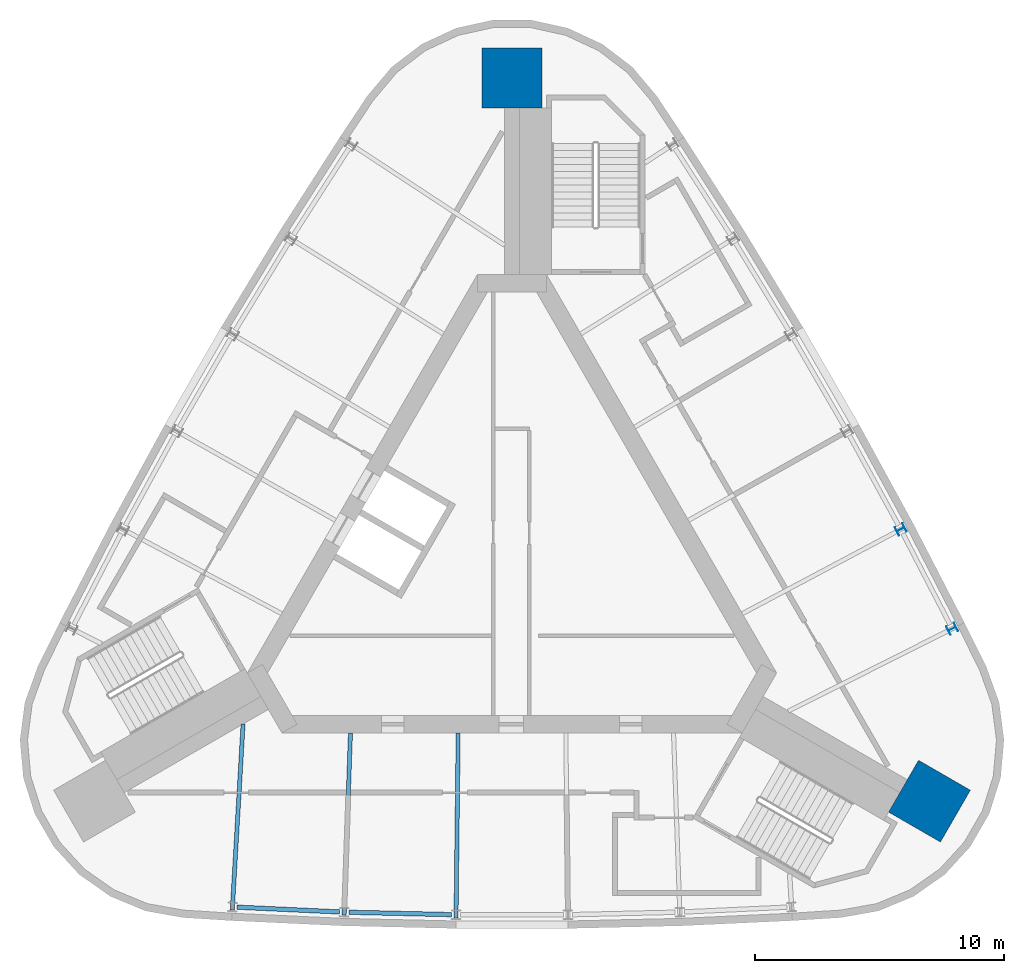
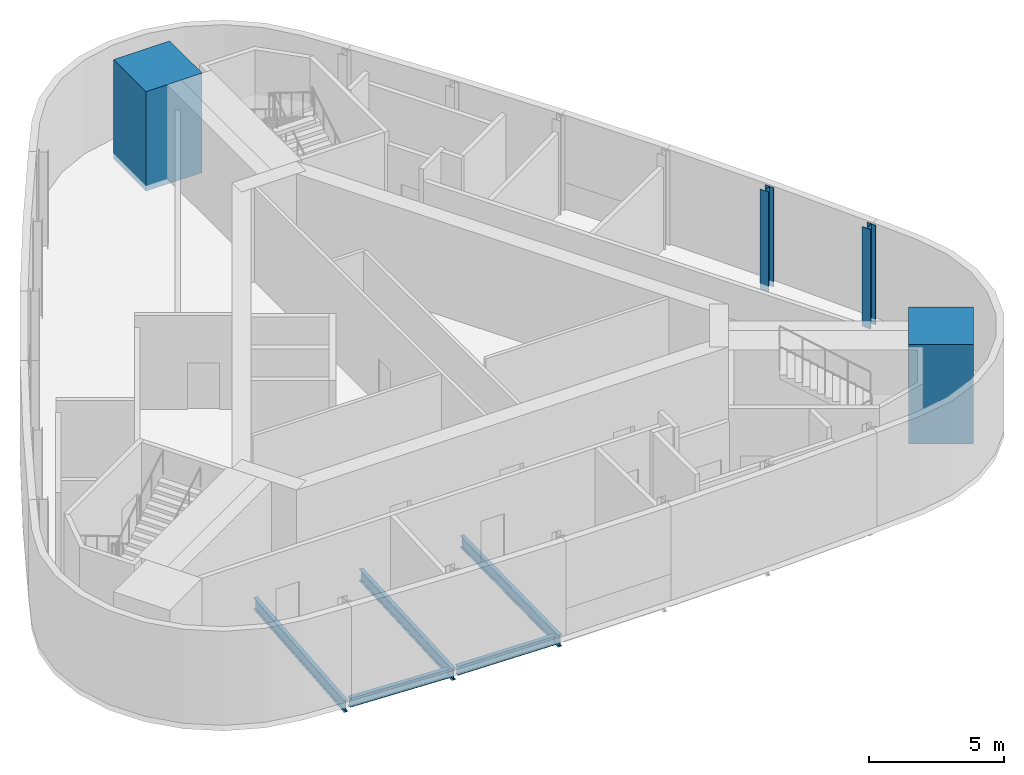
# One storey, part 2 of 7: 5 beams, 4 columns.
"""IFC4 building model written with IfcOpenShell, lengths in metres."""

from ifc_helpers import new_model, si_unit, direction, frame, origin, origin_2d, place, context, subcontext, project, spatial, rectangle, i_section, extrude, material, material_profile, profile_set, type_object, element, save


model = new_model("IFC4")

# Units and contexts
model_context = context("Model", 3, precision=1e-05, world=origin(), true_north=direction((0.0, 1.0)))
body_context = subcontext(model_context, "Body", "Model", "MODEL_VIEW")
ifc_project = project(units=[si_unit("LENGTHUNIT", "METRE"), si_unit("AREAUNIT", "SQUARE_METRE"), si_unit("VOLUMEUNIT", "CUBIC_METRE"), si_unit("PLANEANGLEUNIT", "RADIAN"), si_unit("MASSUNIT", "GRAM", prefix="KILO")], contexts=[model_context])

# Site, building, storey
site_placement = place(None, origin())
site = spatial("IfcSite", under=ifc_project, at=site_placement, CompositionType="ELEMENT")
building_placement = place(site_placement, origin())
building = spatial("IfcBuilding", under=site, at=building_placement, Name="Noor Cloister Tower", CompositionType="ELEMENT")
storey_placement = place(building_placement, frame((0.0, 0.0, 288.60009765625)))
storey = spatial("IfcBuildingStorey", under=building, at=storey_placement, Name="L73", CompositionType="ELEMENT", Elevation=288.60009765625)

# Columns
ifc_material_1 = material(Name="Steel ASTM A992 Gr 50", Category="steel")
ifc_material_profile_1 = material_profile(ifc_material_1, i_section(OverallWidth=0.367919921875, OverallDepth=0.35595703125, WebThickness=0.01123046875, FlangeThickness=0.01806640625, FilletRadius=0.015380859375, at=origin_2d()), Name="W360x134")
ifc_profile_set_1 = profile_set([ifc_material_profile_1], Name="Steel ASTM A992 Gr 50")
column_type_1 = type_object("IfcColumnType", Name="Column W360x134", PredefinedType="COLUMN", material=ifc_profile_set_1)
for number, where, z_axis, x_axis, name in (
    (1, (17.653564453125, -2.75390625, -0.25), (0.0, 0.0, 1.0), (-0.448974965035, 0.893544336209, 0.0), "Column NE 01 L73"),
    (2, (15.592529296875, 1.231689453125, -0.25), (0.0, 0.0, 1.0), (-0.469575774469, 0.882892174635, 0.0), "Column NE 02 L73"),
):
    element("IfcColumn", number, at=place(storey_placement, frame(where, z_axis=z_axis, x_axis=x_axis)), inside=storey, type_object=column_type_1, Name=name, PredefinedType="COLUMN", context=body_context, shape_type="SweptSolid", body=[
        extrude(i_section(OverallWidth=0.367919921875, OverallDepth=0.35595703125, WebThickness=0.01123046875, FlangeThickness=0.01806640625, FilletRadius=0.015380859375, at=origin_2d()), origin(), (0.0, 0.0, 1.0), 4.5),
    ])
ifc_material_2 = material(Name="Concrete C50/60", Category="concrete")
ifc_material_profile_2 = material_profile(ifc_material_2, rectangle(XDim=2.39990234375, YDim=2.39990234375, at=origin_2d()), Name="RC 2400x2400")
ifc_profile_set_2 = profile_set([ifc_material_profile_2], Name="Concrete C50/60")
column_type_2 = type_object("IfcColumnType", Name="Corner pier 2400 x 2400 C50/60", PredefinedType="COLUMN", material=ifc_profile_set_2)
for number, where, z_axis, x_axis, name in (
    (3, (0.0, 19.3349609375, -0.25), (0.0, 0.0, 1.0), (0.0, 1.0, 0.0), "Corner pier N L73"),
    (4, (16.74462890625, -9.66748046875, -0.25), (0.0, 0.0, 1.0), (0.866025403784, -0.5, 0.0), "Corner pier SE L73"),
):
    element("IfcColumn", number, at=place(storey_placement, frame(where, z_axis=z_axis, x_axis=x_axis)), inside=storey, type_object=column_type_2, Name=name, PredefinedType="COLUMN", context=body_context, shape_type="SweptSolid", body=[
        extrude(rectangle(XDim=2.39990234375, YDim=2.39990234375, at=origin_2d()), origin(), (0.0, 0.0, 1.0), 4.5),
    ])

# Beams
ifc_material_3 = material(Name="Steel ASTM A992 Gr 50", Category="steel")
ifc_material_profile_3 = material_profile(ifc_material_3, i_section(OverallWidth=0.166015625, OverallDepth=0.528076171875, WebThickness=0.009765625, FlangeThickness=0.013671875, FilletRadius=0.0126953125, at=origin_2d()), Name="W530x74")
ifc_profile_set_3 = profile_set([ifc_material_profile_3], Name="Steel ASTM A992 Gr 50")
beam_type_1 = type_object("IfcBeamType", Name="Radial beam W530x74", PredefinedType="BEAM", material=ifc_profile_set_3)
beam_1_placement = place(storey_placement, frame((-11.218994140625, -14.033203125, -0.51416015625), z_axis=(0.057963519573, 0.998318701818, 0.0), x_axis=(-0.998318701818, 0.057963519573, 0.0)))
element("IfcBeam", 5, at=beam_1_placement, inside=storey, type_object=beam_type_1, Name="Radial beam S 01 L73", PredefinedType="BEAM", context=body_context, shape_type="SweptSolid", body=[
    extrude(i_section(OverallWidth=0.166015625, OverallDepth=0.528076171875, WebThickness=0.009765625, FlangeThickness=0.013671875, FilletRadius=0.0126953125, at=origin_2d()), origin(), (0.0, 0.0, 1.0), 7.471923828125),
])
beam_2_placement = place(storey_placement, frame((-6.733642578125, -14.241455078125, -0.51416015625), z_axis=(0.034764484893, 0.999395532605, 0.0), x_axis=(-0.999395532605, 0.034764484893, 0.0)))
element("IfcBeam", 6, at=beam_2_placement, inside=storey, type_object=beam_type_1, Name="Radial beam S 02 L73", PredefinedType="BEAM", context=body_context, shape_type="SweptSolid", body=[
    extrude(i_section(OverallWidth=0.166015625, OverallDepth=0.528076171875, WebThickness=0.009765625, FlangeThickness=0.013671875, FilletRadius=0.0126953125, at=origin_2d()), origin(), (0.0, 0.0, 1.0), 7.317626953125),
])
beam_3_placement = place(storey_placement, frame((-2.244873046875, -14.345458984375, -0.51416015625), z_axis=(0.011585411151, 0.999932886872, 0.0), x_axis=(-0.999932886872, 0.011585411151, 0.0)))
element("IfcBeam", 7, at=beam_3_placement, inside=storey, type_object=beam_type_1, Name="Radial beam S 03 L73", PredefinedType="BEAM", context=body_context, shape_type="SweptSolid", body=[
    extrude(i_section(OverallWidth=0.166015625, OverallDepth=0.528076171875, WebThickness=0.009765625, FlangeThickness=0.013671875, FilletRadius=0.0126953125, at=origin_2d()), origin(), (0.0, 0.0, 1.0), 7.417724609375),
])
ifc_material_4 = material(Name="Steel ASTM A992 Gr 50", Category="steel")
ifc_material_profile_4 = material_profile(ifc_material_4, i_section(OverallWidth=0.177978515625, OverallDepth=0.406005859375, WebThickness=0.0078125, FlangeThickness=0.0126953125, FilletRadius=0.01025390625, at=origin_2d()), Name="W410x60")
ifc_profile_set_4 = profile_set([ifc_material_profile_4], Name="Steel ASTM A992 Gr 50")
beam_type_2 = type_object("IfcBeamType", Name="Spandrel beam W410x60", PredefinedType="SPANDREL", material=ifc_profile_set_4)
beam_4_placement = place(storey_placement, frame((-11.028076171875, -13.919921875, -0.453125), z_axis=(0.998925325351, -0.046348617801, 0.0), x_axis=(0.046348617801, 0.998925325351, 0.0)))
element("IfcBeam", 8, at=beam_4_placement, inside=storey, type_object=beam_type_2, Name="Spandrel beam S 01 L73", PredefinedType="SPANDREL", context=body_context, shape_type="SweptSolid", body=[
    extrude(i_section(OverallWidth=0.177978515625, OverallDepth=0.406005859375, WebThickness=0.0078125, FlangeThickness=0.0126953125, FilletRadius=0.01025390625, at=origin_2d()), origin(), (0.0, 0.0, 1.0), 4.119140625),
])
beam_5_placement = place(storey_placement, frame((-6.545654296875, -14.123779296875, -0.453125), z_axis=(0.999731452345, -0.023173760841, 0.0), x_axis=(0.023173760841, 0.999731452345, 0.0)))
element("IfcBeam", 9, at=beam_5_placement, inside=storey, type_object=beam_type_2, Name="Spandrel beam S 02 L73", PredefinedType="SPANDREL", context=body_context, shape_type="SweptSolid", body=[
    extrude(i_section(OverallWidth=0.177978515625, OverallDepth=0.406005859375, WebThickness=0.0078125, FlangeThickness=0.0126953125, FilletRadius=0.01025390625, at=origin_2d()), origin(), (0.0, 0.0, 1.0), 4.119384765625),
])

save(model, "model.ifc")
